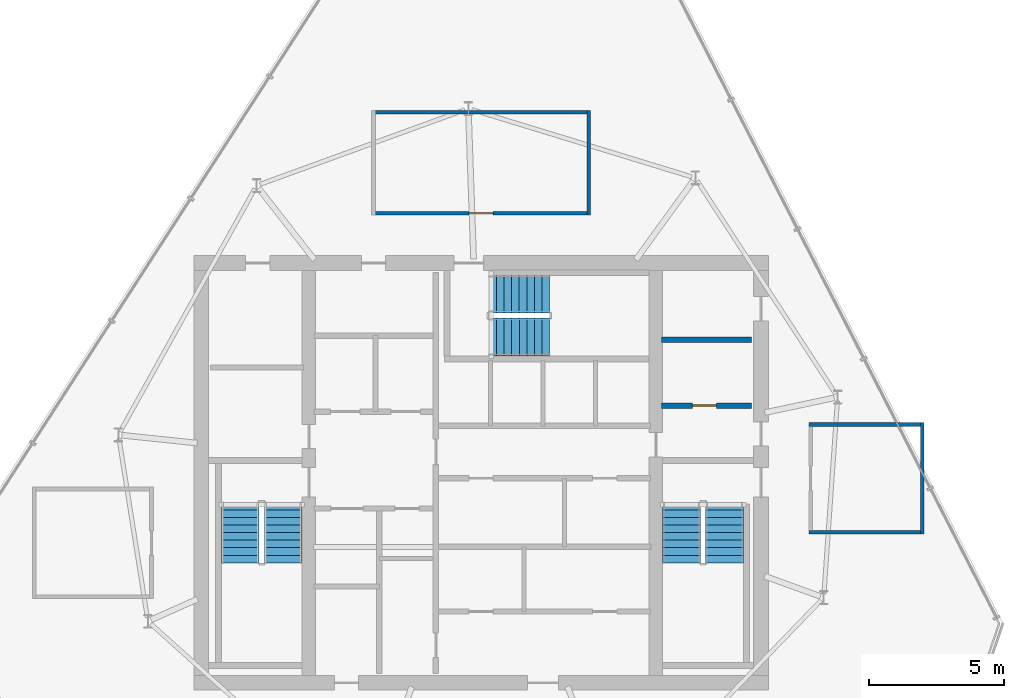
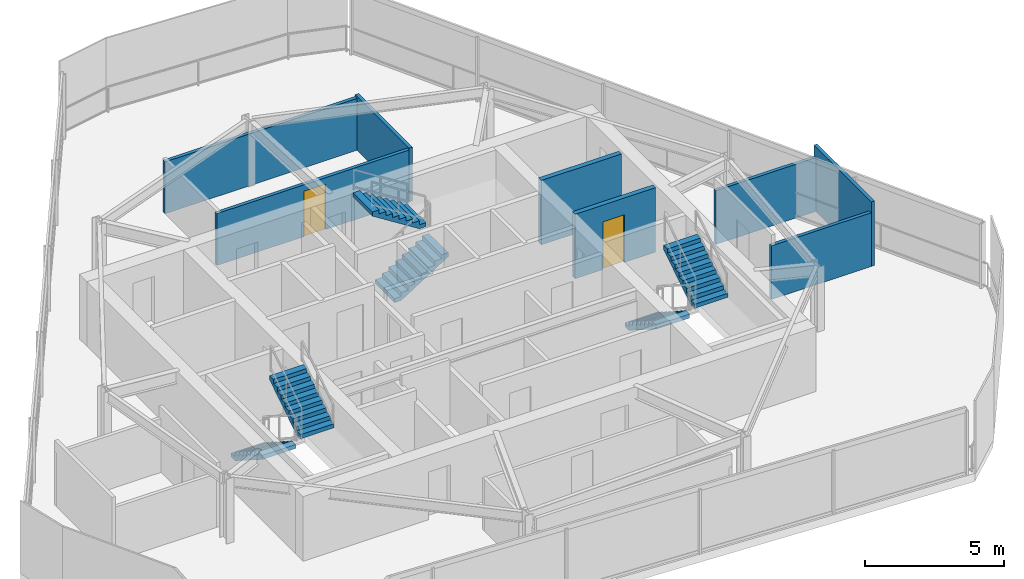
# One storey, part 15 of 16: 8 walls, 6 stair flights, 2 doors, 2 openings, 3 elements without a shape of their own.
"""IFC4 building model written with IfcOpenShell, lengths in metres."""

import ifcopenshell
import ifcopenshell.guid

model = None  # the IFC model being written
_history = None  # IfcOwnerHistory: only IFC2X3 demands one
_inside = {}  # id of a spatial element -> (the spatial element, [elements in it])
_under = {}  # id of a project, library or spatial element -> (it, [spatial elements below it])
_declared = {}  # id of a project -> (the project, [libraries it declares])
_typed = {}  # id of a type object -> (the type object, [elements of that type])
_made_of = {}  # id of a material, layer set ... -> (it, [elements and type objects made of it])


def new_model(schema):
    """Start an empty IFC model of exactly this schema.

    Asked for "IFC4X3", IfcOpenShell would pick the latest addendum, in which some entities
    have other attributes; the version numbers below select the first issue.
    IFC2X3 requires an IfcOwnerHistory on every rooted entity: one is made here for all.
    """
    global model, _history
    if schema == "IFC4X3":
        model = ifcopenshell.file(schema_version=(4, 3, 0, 0))
    else:
        model = ifcopenshell.file(schema=schema)
    _inside.clear()
    _under.clear()
    _declared.clear()
    _typed.clear()
    _made_of.clear()
    _history = None
    if model.schema == "IFC2X3":
        org = make("IfcOrganization", Name="unknown")
        user = make(
            "IfcPersonAndOrganization",
            ThePerson=make("IfcPerson", FamilyName="unknown"),
            TheOrganization=org,
        )
        app = make(
            "IfcApplication",
            ApplicationDeveloper=org,
            Version="unknown",
            ApplicationFullName="unknown",
            ApplicationIdentifier="unknown",
        )
        _history = make(
            "IfcOwnerHistory",
            OwningUser=user,
            OwningApplication=app,
            ChangeAction="ADDED",
            CreationDate=0,
        )
    return model


def make(cls, **values):
    """One entity of the class cls with the attributes given. An attribute that is None is left unset."""
    return model.create_entity(
        cls, **{name: value for name, value in values.items() if value is not None}
    )


def rooted(cls, **values):
    """An entity with a GlobalId (a new one), such as an element, a storey or a relation."""
    return make(cls, GlobalId=ifcopenshell.guid.new(), OwnerHistory=_history, **values)


def si_unit(unit_type, name, prefix=None):
    """IfcSIUnit, for example si_unit("LENGTHUNIT", "METRE", prefix="MILLI")."""
    return make("IfcSIUnit", UnitType=unit_type, Prefix=prefix, Name=name)


def assignment(units):
    """IfcUnitAssignment: the units of a project."""
    return None if units is None else make("IfcUnitAssignment", Units=units)


def point(xyz):
    """IfcCartesianPoint."""
    return None if xyz is None else make("IfcCartesianPoint", Coordinates=xyz)


def direction(xyz):
    """IfcDirection."""
    return None if xyz is None else make("IfcDirection", DirectionRatios=xyz)


def frame(location, z_axis=None, x_axis=None):
    """IfcAxis2Placement3D, a coordinate frame: its origin and axes. An axis left out is left unset."""
    return make(
        "IfcAxis2Placement3D",
        Location=point(location),
        Axis=direction(z_axis),
        RefDirection=direction(x_axis),
    )


def frame_2d(location, x_axis=None):
    """IfcAxis2Placement2D, a coordinate frame in the plane: its origin and x axis."""
    return make(
        "IfcAxis2Placement2D", Location=point(location), RefDirection=direction(x_axis)
    )


def origin():
    """The frame at (0, 0, 0) with its axes left unset."""
    return frame((0.0, 0.0, 0.0))


def place(relative_to, where):
    """IfcLocalPlacement: puts the frame where relative to a parent placement (None: the world)."""
    return make(
        "IfcLocalPlacement", PlacementRelTo=relative_to, RelativePlacement=where
    )


def context(
    kind, dimensions, precision=None, world=None, true_north=None, identifier=None
):
    """IfcGeometricRepresentationContext, for example the 3D "Model" context."""
    return make(
        "IfcGeometricRepresentationContext",
        ContextIdentifier=identifier,
        ContextType=kind,
        CoordinateSpaceDimension=dimensions,
        Precision=precision,
        WorldCoordinateSystem=world,
        TrueNorth=true_north,
    )


def subcontext(parent, identifier, kind, view, scale=None):
    """IfcGeometricRepresentationSubContext, for example "Body" below "Model"."""
    return make(
        "IfcGeometricRepresentationSubContext",
        ContextIdentifier=identifier,
        ContextType=kind,
        ParentContext=parent,
        TargetScale=scale,
        TargetView=view,
    )


def project(units=None, contexts=None):
    """IfcProject with its units and contexts."""
    return rooted(
        "IfcProject",
        Name="project",
        RepresentationContexts=contexts,
        UnitsInContext=assignment(units),
    )


def spatial(cls, under=None, at=None, **own):
    """A site, building, storey or space (cls), placed at a placement, below another one or the project."""
    s = rooted(cls, ObjectPlacement=at, **own)
    if under is not None:
        _under.setdefault(under.id(), (under, []))[1].append(s)
    return s


def polyline(points):
    """IfcPolyline through the points."""
    return make("IfcPolyline", Points=[point(p) for p in points])


def profile(cls, at=None, kind="AREA", **sizes):
    """A parametric profile (cls). Its sizes go by their IFC names, for example OverallWidth=200.0."""
    return make(cls, ProfileType=kind, Position=at, **sizes)


def rectangle(**sizes):
    """IfcRectangleProfileDef."""
    return profile("IfcRectangleProfileDef", **sizes)


def outline(outer, holes=None, kind="AREA"):
    """IfcArbitraryClosedProfileDef: a profile drawn as a closed curve; with holes, ...WithVoids."""
    if holes is None:
        return make("IfcArbitraryClosedProfileDef", ProfileType=kind, OuterCurve=outer)
    return make(
        "IfcArbitraryProfileDefWithVoids",
        ProfileType=kind,
        OuterCurve=outer,
        InnerCurves=holes,
    )


def extrude(swept, where, along, depth):
    """IfcExtrudedAreaSolid: the profile swept, set in the frame where, extruded along a direction by depth."""
    return make(
        "IfcExtrudedAreaSolid",
        SweptArea=swept,
        Position=where,
        ExtrudedDirection=direction(along),
        Depth=depth,
    )


def shape(context_of_items, identifier, shape_type, items):
    """IfcShapeRepresentation: the items that make up one representation, for example the "Body"."""
    return make(
        "IfcShapeRepresentation",
        ContextOfItems=context_of_items,
        RepresentationIdentifier=identifier,
        RepresentationType=shape_type,
        Items=items,
    )


def material(Name=None, Category=None):
    """IfcMaterial."""
    return make("IfcMaterial", Name=Name, Category=Category)


def layer(
    of_material, thickness, ventilated=None, Name=None, Category=None, Priority=None
):
    """IfcMaterialLayer: one layer of a wall or slab, of a material (None: an air gap)."""
    return make(
        "IfcMaterialLayer",
        Material=of_material,
        LayerThickness=thickness,
        IsVentilated=ventilated,
        Name=Name,
        Category=Category,
        Priority=Priority,
    )


def layer_set(layers, Name=None):
    """IfcMaterialLayerSet."""
    return make("IfcMaterialLayerSet", MaterialLayers=layers, LayerSetName=Name)


def made_of(thing, what):
    """Note that an element or type object is made of a material, layer set ...; save() writes the relation."""
    if what is not None:
        _made_of.setdefault(what.id(), (what, []))[1].append(thing)
    return thing


def type_object(cls, material=None, **own):
    """A type object (cls), such as IfcWallType, which elements share."""
    return made_of(rooted(cls, **own), material)


def element(
    cls,
    number,
    at=None,
    inside=None,
    cuts=None,
    type_object=None,
    material=None,
    context=None,
    identifier="Body",
    shape_type=None,
    held_by="IfcProductDefinitionShape",
    body=None,
    shapes=None,
    **own,
):
    """One element of the class cls, such as IfcWall. Its Tag is "e" and its number.

    at: its placement. inside: the storey or other place that contains it. cuts: it is an
    opening in that element (IfcRelVoidsElement). A single representation is given by context,
    identifier, shape_type and body (its items); several are given by shapes. held_by: the class
    of the entity that holds the representations. save() writes the other relations.
    """
    e = rooted(cls, Tag="e%d" % number, ObjectPlacement=at, **own)
    if body is not None:
        shapes = [shape(context, identifier, shape_type, body)]
    if shapes is not None:
        e.Representation = make(held_by, Representations=shapes)
    if inside is not None:
        _inside.setdefault(inside.id(), (inside, []))[1].append(e)
    if cuts is not None:
        rooted(
            "IfcRelVoidsElement", RelatingBuildingElement=cuts, RelatedOpeningElement=e
        )
    if type_object is not None:
        _typed.setdefault(type_object.id(), (type_object, []))[1].append(e)
    return made_of(e, material)


def fill(opening, filler):
    """IfcRelFillsElement: the door or window that sits in an opening."""
    return rooted(
        "IfcRelFillsElement",
        RelatingOpeningElement=opening,
        RelatedBuildingElement=filler,
    )


def aggregate(whole, parts):
    """IfcRelAggregates: a whole, such as a stair, and the parts it consists of."""
    return rooted("IfcRelAggregates", RelatingObject=whole, RelatedObjects=parts)


def save(model, path):
    """Write the relations noted so far, then the file.

    IfcRelAggregates (storeys below a building ...), IfcRelContainedInSpatialStructure (elements
    in a storey), IfcRelDefinesByType, IfcRelAssociatesMaterial and IfcRelDeclares: one each for
    every whole, place, type object, material and project.
    """
    for whole, parts in _under.values():
        aggregate(whole, parts)
    for where, things in _inside.values():
        rooted(
            "IfcRelContainedInSpatialStructure",
            RelatedElements=things,
            RelatingStructure=where,
        )
    for kind, things in _typed.values():
        rooted("IfcRelDefinesByType", RelatedObjects=things, RelatingType=kind)
    for what, things in _made_of.values():
        rooted("IfcRelAssociatesMaterial", RelatedObjects=things, RelatingMaterial=what)
    for by, libraries in _declared.values():
        rooted("IfcRelDeclares", RelatingContext=by, RelatedDefinitions=libraries)
    model.write(path)


model = new_model("IFC4")

# Units and contexts
model_context = context("Model", 3, precision=1e-05, world=origin(), true_north=direction((0.0, 1.0)))
body_context = subcontext(model_context, "Body", "Model", "MODEL_VIEW")
ifc_project = project(units=[si_unit("LENGTHUNIT", "METRE"), si_unit("AREAUNIT", "SQUARE_METRE"), si_unit("VOLUMEUNIT", "CUBIC_METRE"), si_unit("PLANEANGLEUNIT", "RADIAN"), si_unit("MASSUNIT", "GRAM", prefix="KILO")], contexts=[model_context])

# Site, building, storey
site_placement = place(None, origin())
site = spatial("IfcSite", under=ifc_project, at=site_placement, CompositionType="ELEMENT")
building_placement = place(site_placement, origin())
building = spatial("IfcBuilding", under=site, at=building_placement, Name="Qarnah Convention Tower", CompositionType="ELEMENT")
storey_placement = place(building_placement, frame((0.0, 0.0, 283.5)))
storey = spatial("IfcBuildingStorey", under=building, at=storey_placement, Name="L76", CompositionType="ELEMENT", Elevation=283.5)

# Wall, opening, door
ifc_material_1 = material(Name="Concrete C45/55", Category="concrete")
ifc_layer_1 = layer(ifc_material_1, 0.199951171875)
ifc_layer_set_1 = layer_set([ifc_layer_1], Name="Concrete C45/55")
wall_type_1 = type_object("IfcWallType", Name="WL-CORE-PART-200", PredefinedType="SOLIDWALL", material=ifc_layer_set_1)
wall_1_placement = place(storey_placement, frame((43.89990234375, 28.89990234375, 0.0), z_axis=(0.0, 0.0, 1.0), x_axis=(1.0, 0.0, 0.0)))
wall_1 = element("IfcWall", 1, at=wall_1_placement, inside=storey, type_object=wall_type_1, Name="L76 interior wall IW-L76-EVSTN", PredefinedType="SOLIDWALL", context=body_context, shape_type="SweptSolid", body=[
    extrude(rectangle(XDim=3.35009765625, YDim=0.199951171875, at=frame_2d((1.675048828125, 0.0))), origin(), (0.0, 0.0, 1.0), 2.840087890625),
])
opening_1_placement = place(wall_1_placement, frame((1.14990234375, 0.0, 0.0)))
opening_1 = element("IfcOpeningElement", 2, at=opening_1_placement, cuts=wall_1, Name="Opening D-7611", PredefinedType="OPENING", context=body_context, shape_type="SweptSolid", body=[
    extrude(rectangle(XDim=0.89990234375, YDim=2.10009765625, at=frame_2d((0.449951171875, 1.050048828125))), frame((0.0, 0.10986328125, 0.0), z_axis=(0.0, -1.0, 0.0), x_axis=(1.0, 0.0, 0.0)), (0.0, 0.0, 1.0), 0.219970703125),
])
ifc_material_2 = material(Name="Structural steel S355JR", Category="steel")
door_type_1 = type_object("IfcDoorType", Name="DT-RISER-900", OperationType="NOTDEFINED", PredefinedType="DOOR", material=ifc_material_2)
door_1_placement = place(opening_1_placement, origin())
door_1 = element("IfcDoor", 3, at=door_1_placement, inside=storey, type_object=door_type_1, Name="Door D-7611", OperationType="SINGLE_SWING_RIGHT", OverallHeight=2.10009765625, OverallWidth=0.89990234375, PredefinedType="DOOR", context=body_context, shape_type="SweptSolid", body=[
    extrude(rectangle(XDim=0.89990234375, YDim=2.10009765625, at=frame_2d((0.449951171875, 1.050048828125))), frame((0.0, 0.02490234375, 0.0), z_axis=(0.0, -1.0, 0.0), x_axis=(1.0, 0.0, 0.0)), (0.0, 0.0, 1.0), 0.050048828125),
])
fill(opening_1, door_1)

# Walls
wall_2_placement = place(storey_placement, frame((43.89990234375, 31.35009765625, 0.0), z_axis=(0.0, 0.0, 1.0), x_axis=(1.0, 0.0, 0.0)))
element("IfcWall", 4, at=wall_2_placement, inside=storey, type_object=wall_type_1, Name="L76 interior wall IW-L76-WTRN", PredefinedType="SOLIDWALL", context=body_context, shape_type="SweptSolid", body=[
    extrude(rectangle(XDim=3.35009765625, YDim=0.199951171875, at=frame_2d((1.675048828125, 0.0))), origin(), (0.0, 0.0, 1.0), 2.840087890625),
])
ifc_material_3 = material(Name="Gypsum partition board")
ifc_layer_2 = layer(ifc_material_3, 0.139892578125)
ifc_layer_set_2 = layer_set([ifc_layer_2], Name="Gypsum partition board")
wall_type_2 = type_object("IfcWallType", Name="WL-WET-140", PredefinedType="PARTITIONING", material=ifc_layer_set_2)
wall_3_placement = place(storey_placement, frame((49.3798828125, 24.199951171875, 0.0), z_axis=(0.0, 0.0, 1.0), x_axis=(1.0, 0.0, 0.0)))
element("IfcWall", 5, at=wall_3_placement, inside=storey, type_object=wall_type_2, Name="L76 interior wall IW-L76-SWGP-1", PredefinedType="PARTITIONING", context=body_context, shape_type="SweptSolid", body=[
    extrude(rectangle(XDim=4.2900390625, YDim=0.139892578125, at=frame_2d((2.14501953125, 0.0))), origin(), (0.0, 0.0, 1.0), 2.364990234375),
])
wall_4_placement = place(storey_placement, frame((53.60009765625, 24.1298828125, 0.0), z_axis=(0.0, 0.0, 1.0), x_axis=(0.0, 1.0, 0.0)))
element("IfcWall", 6, at=wall_4_placement, inside=storey, type_object=wall_type_2, Name="L76 interior wall IW-L76-SWGP-2", PredefinedType="PARTITIONING", context=body_context, shape_type="SweptSolid", body=[
    extrude(rectangle(XDim=4.14013671875, YDim=0.139892578125, at=frame_2d((2.070068359375, 0.0))), origin(), (0.0, 0.0, 1.0), 2.840087890625),
])
wall_5_placement = place(storey_placement, frame((53.669921875, 28.199951171875, 0.0), z_axis=(0.0, 0.0, 1.0), x_axis=(-1.0, 0.0, 0.0)))
element("IfcWall", 7, at=wall_5_placement, inside=storey, type_object=wall_type_2, Name="L76 interior wall IW-L76-SWGP-3", PredefinedType="PARTITIONING", context=body_context, shape_type="SweptSolid", body=[
    extrude(rectangle(XDim=4.2900390625, YDim=0.139892578125, at=frame_2d((2.14501953125, 0.0))), origin(), (0.0, 0.0, 1.0), 2.364990234375),
])

# Wall, opening, door
wall_6_placement = place(storey_placement, frame((33.1298828125, 36.050048828125, 0.0), z_axis=(0.0, 0.0, 1.0), x_axis=(1.0, 0.0, 0.0)))
wall_6 = element("IfcWall", 8, at=wall_6_placement, inside=storey, type_object=wall_type_2, Name="L76 interior wall IW-L76-AHUP-1", PredefinedType="PARTITIONING", context=body_context, shape_type="SweptSolid", body=[
    extrude(rectangle(XDim=8.14013671875, YDim=0.139892578125, at=frame_2d((4.070068359375, 0.0))), origin(), (0.0, 0.0, 1.0), 2.284912109375),
])
opening_2_placement = place(wall_6_placement, frame((3.6201171875, 0.0, 0.0)))
opening_2 = element("IfcOpeningElement", 9, at=opening_2_placement, cuts=wall_6, Name="Opening D-7622", PredefinedType="OPENING", context=body_context, shape_type="SweptSolid", body=[
    extrude(rectangle(XDim=0.89990234375, YDim=2.0, at=frame_2d((0.449951171875, 1.0))), frame((0.0, 0.079833984375, 0.0), z_axis=(0.0, -1.0, 0.0), x_axis=(1.0, 0.0, 0.0)), (0.0, 0.0, 1.0), 0.159912109375),
])
door_type_2 = type_object("IfcDoorType", Name="DT-PLANT-900", OperationType="NOTDEFINED", PredefinedType="DOOR", material=ifc_material_2)
door_2_placement = place(opening_2_placement, origin())
door_2 = element("IfcDoor", 10, at=door_2_placement, inside=storey, type_object=door_type_2, Name="Door D-7622", OperationType="SINGLE_SWING_LEFT", OverallHeight=2.0, OverallWidth=0.89990234375, PredefinedType="DOOR", context=body_context, shape_type="SweptSolid", body=[
    extrude(rectangle(XDim=0.89990234375, YDim=2.0, at=frame_2d((0.449951171875, 1.0))), frame((0.0, 0.02490234375, 0.0), z_axis=(0.0, -1.0, 0.0), x_axis=(1.0, 0.0, 0.0)), (0.0, 0.0, 1.0), 0.050048828125),
])
fill(opening_2, door_2)

# Walls
wall_7_placement = place(storey_placement, frame((41.199951171875, 35.97998046875, 0.0), z_axis=(0.0, 0.0, 1.0), x_axis=(0.0, 1.0, 0.0)))
element("IfcWall", 11, at=wall_7_placement, inside=storey, type_object=wall_type_2, Name="L76 interior wall IW-L76-AHUP-2", PredefinedType="PARTITIONING", context=body_context, shape_type="SweptSolid", body=[
    extrude(rectangle(XDim=3.89013671875, YDim=0.139892578125, at=frame_2d((1.945068359375, 0.0))), origin(), (0.0, 0.0, 1.0), 2.364990234375),
])
wall_8_placement = place(storey_placement, frame((41.27001953125, 39.800048828125, 0.0), z_axis=(0.0, 0.0, 1.0), x_axis=(-1.0, 0.0, 0.0)))
element("IfcWall", 12, at=wall_8_placement, inside=storey, type_object=wall_type_2, Name="L76 interior wall IW-L76-AHUP-3", PredefinedType="PARTITIONING", context=body_context, shape_type="SweptSolid", body=[
    extrude(rectangle(XDim=8.14013671875, YDim=0.139892578125, at=frame_2d((4.070068359375, 0.0))), origin(), (0.0, 0.0, 1.0), 2.284912109375),
])

# Stair, stair flights
ifc_material_4 = material(Name="Concrete C50/60", Category="concrete")
stair_type = type_object("IfcStairType", Name="STR-CRN", PredefinedType="HALF_TURN_STAIR", material=ifc_material_4)
stair_1_placement = place(storey_placement, origin())
stair_1 = element("IfcStair", 13, at=stair_1_placement, inside=storey, type_object=stair_type, Name="L76 Core exit stair ST-1", PredefinedType="HALF_TURN_STAIR")
stair_flight_type = type_object("IfcStairFlightType", Name="FLT-CRN", PredefinedType="STRAIGHT", material=ifc_material_4)
stair_flight_1_placement = place(storey_placement, frame((28.25, 25.300048828125, 0.0), z_axis=(0.0, 0.0, 1.0), x_axis=(0.0, -1.0, 0.0)))
stair_flight_1 = element("IfcStairFlight", 14, at=stair_flight_1_placement, type_object=stair_flight_type, Name="ST-1 flight 1", NumberOfRisers=9, NumberOfTreads=8, PredefinedType="STRAIGHT", RiserHeight=0.177777778, TreadLength=0.28, context=body_context, shape_type="SweptSolid", body=[
    extrude(outline(polyline([(0.0, 0.0), (0.0, 0.177734375), (0.280029296875, 0.177734375), (0.280029296875, 0.35546875), (0.56005859375, 0.35546875), (0.56005859375, 0.533447265625), (0.840087890625, 0.533447265625), (0.840087890625, 0.711181640625), (1.1201171875, 0.711181640625), (1.1201171875, 0.888916015625), (1.39990234375, 0.888916015625), (1.39990234375, 1.066650390625), (1.679931640625, 1.066650390625), (1.679931640625, 1.244384765625), (1.9599609375, 1.244384765625), (1.9599609375, 1.422119140625), (2.239990234375, 1.422119140625), (2.239990234375, 1.60009765625), (2.239990234375, 1.24462890625), (0.27978515625, 0.0), (0.0, 0.0)])), frame((0.0, 0.699951171875, 0.0), z_axis=(0.0, -1.0, 0.0), x_axis=(1.0, 0.0, 0.0)), (0.0, 0.0, 1.0), 1.39990234375),
])
stair_flight_2_placement = place(storey_placement, frame((29.85009765625, 23.06005859375, 1.60009765625), z_axis=(0.0, 0.0, 1.0), x_axis=(0.0, 1.0, 0.0)))
stair_flight_2 = element("IfcStairFlight", 15, at=stair_flight_2_placement, type_object=stair_flight_type, Name="ST-1 flight 2", NumberOfRisers=9, NumberOfTreads=8, PredefinedType="STRAIGHT", RiserHeight=0.177777778, TreadLength=0.28, context=body_context, shape_type="SweptSolid", body=[
    extrude(outline(polyline([(0.0, 0.0), (0.0, 0.177734375), (0.280029296875, 0.177734375), (0.280029296875, 0.35546875), (0.56005859375, 0.35546875), (0.56005859375, 0.533447265625), (0.840087890625, 0.533447265625), (0.840087890625, 0.711181640625), (1.1201171875, 0.711181640625), (1.1201171875, 0.888916015625), (1.39990234375, 0.888916015625), (1.39990234375, 1.066650390625), (1.679931640625, 1.066650390625), (1.679931640625, 1.244384765625), (1.9599609375, 1.244384765625), (1.9599609375, 1.422119140625), (2.239990234375, 1.422119140625), (2.239990234375, 1.60009765625), (2.239990234375, 1.24462890625), (0.27978515625, 0.0), (0.0, 0.0)])), frame((0.0, 0.699951171875, 0.0), z_axis=(0.0, -1.0, 0.0), x_axis=(1.0, 0.0, 0.0)), (0.0, 0.0, 1.0), 1.39990234375),
])
aggregate(stair_1, [stair_flight_1, stair_flight_2])

stair_2_placement = place(storey_placement, origin())
stair_2 = element("IfcStair", 16, at=stair_2_placement, inside=storey, type_object=stair_type, Name="L76 Core exit stair ST-2", PredefinedType="HALF_TURN_STAIR")
stair_flight_3_placement = place(storey_placement, frame((44.64990234375, 25.300048828125, 0.0), z_axis=(0.0, 0.0, 1.0), x_axis=(0.0, -1.0, 0.0)))
stair_flight_3 = element("IfcStairFlight", 17, at=stair_flight_3_placement, type_object=stair_flight_type, Name="ST-2 flight 1", NumberOfRisers=9, NumberOfTreads=8, PredefinedType="STRAIGHT", RiserHeight=0.177777778, TreadLength=0.28, context=body_context, shape_type="SweptSolid", body=[
    extrude(outline(polyline([(0.0, 0.0), (0.0, 0.177734375), (0.280029296875, 0.177734375), (0.280029296875, 0.35546875), (0.56005859375, 0.35546875), (0.56005859375, 0.533447265625), (0.840087890625, 0.533447265625), (0.840087890625, 0.711181640625), (1.1201171875, 0.711181640625), (1.1201171875, 0.888916015625), (1.39990234375, 0.888916015625), (1.39990234375, 1.066650390625), (1.679931640625, 1.066650390625), (1.679931640625, 1.244384765625), (1.9599609375, 1.244384765625), (1.9599609375, 1.422119140625), (2.239990234375, 1.422119140625), (2.239990234375, 1.60009765625), (2.239990234375, 1.24462890625), (0.27978515625, 0.0), (0.0, 0.0)])), frame((0.0, 0.699951171875, 0.0), z_axis=(0.0, -1.0, 0.0), x_axis=(1.0, 0.0, 0.0)), (0.0, 0.0, 1.0), 1.39990234375),
])
stair_flight_4_placement = place(storey_placement, frame((46.25, 23.06005859375, 1.60009765625), z_axis=(0.0, 0.0, 1.0), x_axis=(0.0, 1.0, 0.0)))
stair_flight_4 = element("IfcStairFlight", 18, at=stair_flight_4_placement, type_object=stair_flight_type, Name="ST-2 flight 2", NumberOfRisers=9, NumberOfTreads=8, PredefinedType="STRAIGHT", RiserHeight=0.177777778, TreadLength=0.28, context=body_context, shape_type="SweptSolid", body=[
    extrude(outline(polyline([(0.0, 0.0), (0.0, 0.177734375), (0.280029296875, 0.177734375), (0.280029296875, 0.35546875), (0.56005859375, 0.35546875), (0.56005859375, 0.533447265625), (0.840087890625, 0.533447265625), (0.840087890625, 0.711181640625), (1.1201171875, 0.711181640625), (1.1201171875, 0.888916015625), (1.39990234375, 0.888916015625), (1.39990234375, 1.066650390625), (1.679931640625, 1.066650390625), (1.679931640625, 1.244384765625), (1.9599609375, 1.244384765625), (1.9599609375, 1.422119140625), (2.239990234375, 1.422119140625), (2.239990234375, 1.60009765625), (2.239990234375, 1.24462890625), (0.27978515625, 0.0), (0.0, 0.0)])), frame((0.0, 0.699951171875, 0.0), z_axis=(0.0, -1.0, 0.0), x_axis=(1.0, 0.0, 0.0)), (0.0, 0.0, 1.0), 1.39990234375),
])
aggregate(stair_2, [stair_flight_3, stair_flight_4])

stair_3_placement = place(storey_placement, origin())
stair_3 = element("IfcStair", 19, at=stair_3_placement, inside=storey, type_object=stair_type, Name="L76 Core exit stair ST-3", PredefinedType="HALF_TURN_STAIR")
stair_flight_5_placement = place(storey_placement, frame((37.5, 31.449951171875, 0.0), z_axis=(0.0, 0.0, 1.0), x_axis=(1.0, 0.0, 0.0)))
stair_flight_5 = element("IfcStairFlight", 20, at=stair_flight_5_placement, type_object=stair_flight_type, Name="ST-3 flight 1", NumberOfRisers=9, NumberOfTreads=8, PredefinedType="STRAIGHT", RiserHeight=0.177777778, TreadLength=0.28, context=body_context, shape_type="SweptSolid", body=[
    extrude(outline(polyline([(0.0, 0.0), (0.0, 0.177734375), (0.280029296875, 0.177734375), (0.280029296875, 0.35546875), (0.56005859375, 0.35546875), (0.56005859375, 0.533447265625), (0.840087890625, 0.533447265625), (0.840087890625, 0.711181640625), (1.1201171875, 0.711181640625), (1.1201171875, 0.888916015625), (1.39990234375, 0.888916015625), (1.39990234375, 1.066650390625), (1.679931640625, 1.066650390625), (1.679931640625, 1.244384765625), (1.9599609375, 1.244384765625), (1.9599609375, 1.422119140625), (2.239990234375, 1.422119140625), (2.239990234375, 1.60009765625), (2.239990234375, 1.24462890625), (0.27978515625, 0.0), (0.0, 0.0)])), frame((0.0, 0.699951171875, 0.0), z_axis=(0.0, -1.0, 0.0), x_axis=(1.0, 0.0, 0.0)), (0.0, 0.0, 1.0), 1.39990234375),
])
stair_flight_6_placement = place(storey_placement, frame((39.739990234375, 33.050048828125, 1.60009765625), z_axis=(0.0, 0.0, 1.0), x_axis=(-1.0, 0.0, 0.0)))
stair_flight_6 = element("IfcStairFlight", 21, at=stair_flight_6_placement, type_object=stair_flight_type, Name="ST-3 flight 2", NumberOfRisers=9, NumberOfTreads=8, PredefinedType="STRAIGHT", RiserHeight=0.177777778, TreadLength=0.28, context=body_context, shape_type="SweptSolid", body=[
    extrude(outline(polyline([(0.0, 0.0), (0.0, 0.177734375), (0.280029296875, 0.177734375), (0.280029296875, 0.35546875), (0.56005859375, 0.35546875), (0.56005859375, 0.533447265625), (0.840087890625, 0.533447265625), (0.840087890625, 0.711181640625), (1.1201171875, 0.711181640625), (1.1201171875, 0.888916015625), (1.39990234375, 0.888916015625), (1.39990234375, 1.066650390625), (1.679931640625, 1.066650390625), (1.679931640625, 1.244384765625), (1.9599609375, 1.244384765625), (1.9599609375, 1.422119140625), (2.239990234375, 1.422119140625), (2.239990234375, 1.60009765625), (2.239990234375, 1.24462890625), (0.27978515625, 0.0), (0.0, 0.0)])), frame((0.0, 0.699951171875, 0.0), z_axis=(0.0, -1.0, 0.0), x_axis=(1.0, 0.0, 0.0)), (0.0, 0.0, 1.0), 1.39990234375),
])
aggregate(stair_3, [stair_flight_5, stair_flight_6])

save(model, "model.ifc")
